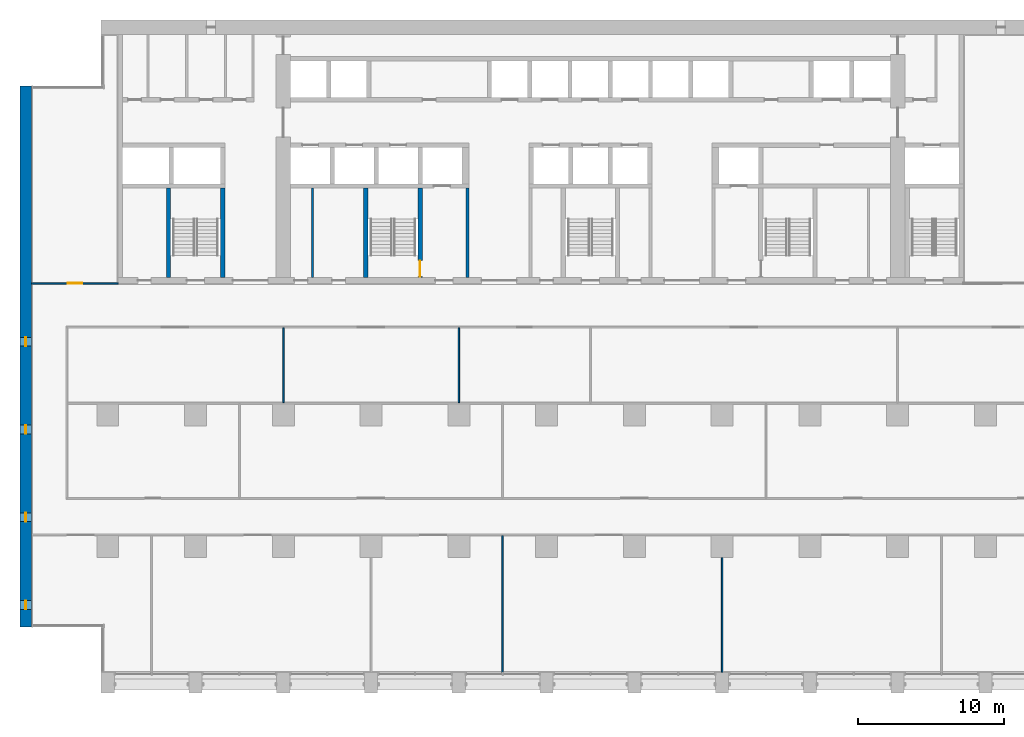
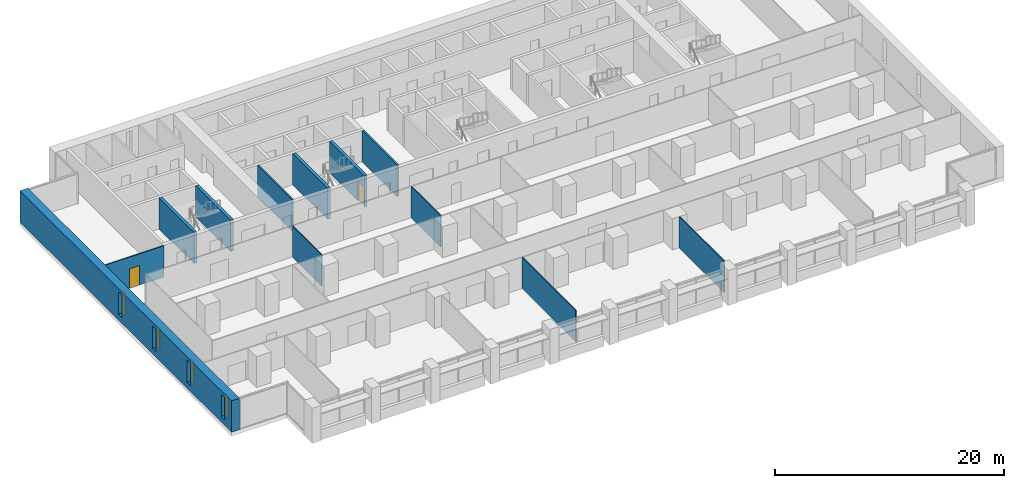
# One storey, part 8 of 18: 12 walls, 4 windows, 2 doors, 6 openings.
"""IFC4 building model written with IfcOpenShell, lengths in metres."""

from ifc_helpers import new_model, si_unit, direction, frame, frame_2d, origin, place, context, subcontext, project, spatial, rectangle, extrude, material, layer, layer_set, type_object, element, fill, save


model = new_model("IFC4")

# Units and contexts
model_context = context("Model", 3, precision=1e-05, world=origin(), true_north=direction((0.0, 1.0)))
body_context = subcontext(model_context, "Body", "Model", "MODEL_VIEW")
ifc_project = project(units=[si_unit("LENGTHUNIT", "METRE"), si_unit("AREAUNIT", "SQUARE_METRE"), si_unit("VOLUMEUNIT", "CUBIC_METRE"), si_unit("PLANEANGLEUNIT", "RADIAN"), si_unit("MASSUNIT", "GRAM", prefix="KILO")], contexts=[model_context])

# Site, building, storey
site_placement = place(None, origin())
site = spatial("IfcSite", under=ifc_project, at=site_placement, CompositionType="ELEMENT")
building_placement = place(site_placement, origin())
building = spatial("IfcBuilding", under=site, at=building_placement, Name="Calvaro Tower", CompositionType="ELEMENT")
storey_placement = place(building_placement, frame((0.0, 0.0, 78.75)))
storey = spatial("IfcBuildingStorey", under=building, at=storey_placement, Name="L19", CompositionType="ELEMENT", Elevation=78.75)

# Walls
ifc_material_1 = material(Name="Blockwork partition", Category="masonry")
ifc_layer_1 = layer(ifc_material_1, 0.14990234375)
ifc_layer_set_1 = layer_set([ifc_layer_1], Name="Blockwork partition")
wall_type_1 = type_object("IfcWallType", Name="Core partition 150 REI 120", PredefinedType="PARTITIONING", material=ifc_layer_set_1)
wall_1_placement = place(storey_placement, frame((20.0, 28.39990234375, 0.0), z_axis=(0.0, 0.0, 1.0), x_axis=(0.0, 1.0, 0.0)))
element("IfcWall", 1, at=wall_1_placement, inside=storey, type_object=wall_type_1, Name="Core partition", PredefinedType="PARTITIONING", context=body_context, shape_type="SweptSolid", body=[
    extrude(rectangle(XDim=6.10009765625, YDim=0.14990234375, at=frame_2d((3.050048828125, 0.0))), origin(), (0.0, 0.0, 1.0), 3.35009765625),
])
ifc_material_2 = material(Name="Blockwork partition", Category="masonry")
ifc_layer_2 = layer(ifc_material_2, 0.199951171875)
ifc_layer_set_2 = layer_set([ifc_layer_2], Name="Blockwork partition")
wall_type_2 = type_object("IfcWallType", Name="Core partition 200 REI 120", PredefinedType="PARTITIONING", material=ifc_layer_set_2)
wall_2_placement = place(storey_placement, frame((30.60009765625, 28.39990234375, 0.0), z_axis=(0.0, 0.0, 1.0), x_axis=(0.0, 1.0, 0.0)))
element("IfcWall", 2, at=wall_2_placement, inside=storey, type_object=wall_type_2, Name="Core partition", PredefinedType="PARTITIONING", context=body_context, shape_type="SweptSolid", body=[
    extrude(rectangle(XDim=6.10009765625, YDim=0.199951171875, at=frame_2d((3.050048828125, 0.0))), origin(), (0.0, 0.0, 1.0), 3.35009765625),
])
ifc_material_3 = material(Name="Concrete C80/95", Category="concrete")
ifc_layer_3 = layer(ifc_material_3, 0.300048828125)
ifc_layer_set_3 = layer_set([ifc_layer_3], Name="Concrete C80/95")
wall_type_3 = type_object("IfcWallType", Name="Core wall C80/95 300", PredefinedType="SHEAR", material=ifc_layer_set_3)
for number, where, z_axis, x_axis, name in (
    (3, (10.14990234375, 28.39990234375, 0.0), (0.0, 0.0, 1.0), (0.0, 1.0, 0.0), "Core wall, stair enclosure"),
    (4, (13.85009765625, 28.39990234375, 0.0), (0.0, 0.0, 1.0), (0.0, 1.0, 0.0), "Core wall, stair enclosure"),
    (5, (23.64990234375, 28.39990234375, 0.0), (0.0, 0.0, 1.0), (0.0, 1.0, 0.0), "Core wall, stair enclosure"),
):
    element("IfcWall", number, at=place(storey_placement, frame(where, z_axis=z_axis, x_axis=x_axis)), inside=storey, type_object=wall_type_3, Name=name, PredefinedType="SHEAR", context=body_context, shape_type="SweptSolid", body=[
        extrude(rectangle(XDim=6.10009765625, YDim=0.300048828125, at=frame_2d((3.050048828125, 0.0))), origin(), (0.0, 0.0, 1.0), 3.35009765625),
    ])

# Wall, opening, door
wall_3_placement = place(storey_placement, frame((27.35009765625, 28.39990234375, 0.0), z_axis=(0.0, 0.0, 1.0), x_axis=(0.0, 1.0, 0.0)))
wall_3 = element("IfcWall", 6, at=wall_3_placement, inside=storey, type_object=wall_type_3, Name="Core wall, stair enclosure", PredefinedType="SHEAR", context=body_context, shape_type="SweptSolid", body=[
    extrude(rectangle(XDim=6.10009765625, YDim=0.300048828125, at=frame_2d((3.050048828125, 0.0))), origin(), (0.0, 0.0, 1.0), 3.35009765625),
])
opening_1_placement = place(wall_3_placement, frame((0.050048828125, 0.0, 0.0)))
opening_1 = element("IfcOpeningElement", 7, at=opening_1_placement, cuts=wall_3, Name="Opening FD11D", PredefinedType="OPENING", context=body_context, shape_type="SweptSolid", body=[
    extrude(rectangle(XDim=1.10009765625, YDim=2.10009765625, at=frame_2d((0.550048828125, 1.050048828125))), frame((0.0, 0.159912109375, 0.0), z_axis=(0.0, -1.0, 0.0), x_axis=(1.0, 0.0, 0.0)), (0.0, 0.0, 1.0), 0.320068359375),
])
ifc_material_4 = material(Name="Steel door set", Category="steel")
door_type_1 = type_object("IfcDoorType", Name="Fire door 1100 FD30S", OperationType="SINGLE_SWING_LEFT", PredefinedType="DOOR", material=ifc_material_4)
door_1_placement = place(opening_1_placement, origin())
door_1 = element("IfcDoor", 8, at=door_1_placement, inside=storey, type_object=door_type_1, Name="Fire door", OperationType="SINGLE_SWING_LEFT", OverallHeight=2.10009765625, OverallWidth=1.10009765625, PredefinedType="DOOR", context=body_context, shape_type="SweptSolid", body=[
    extrude(rectangle(XDim=1.10009765625, YDim=2.10009765625, at=frame_2d((0.550048828125, 1.050048828125))), frame((0.0, 0.02490234375, 0.0), z_axis=(0.0, -1.0, 0.0), x_axis=(1.0, 0.0, 0.0)), (0.0, 0.0, 1.0), 0.050048828125),
])
fill(opening_1, door_1)

# Wall, openings, windows
ifc_material_5 = material(Name="Concrete C80/95", Category="concrete")
ifc_layer_4 = layer(ifc_material_5, 0.800048828125)
ifc_layer_set_4 = layer_set([ifc_layer_4], Name="Concrete C80/95")
wall_type_4 = type_object("IfcWallType", Name="End wall 800 C80/95", PredefinedType="SHEAR", material=ifc_layer_set_4)
wall_4_placement = place(storey_placement, frame((0.39990234375, 4.5, 0.0), z_axis=(0.0, 0.0, 1.0), x_axis=(0.0, 1.0, 0.0)))
wall_4 = element("IfcWall", 9, at=wall_4_placement, inside=storey, type_object=wall_type_4, Name="End shear wall", PredefinedType="SHEAR", context=body_context, shape_type="SweptSolid", body=[
    extrude(rectangle(XDim=37.0, YDim=0.800048828125, at=frame_2d((18.5, 0.0))), origin(), (0.0, 0.0, 1.0), 3.35009765625),
])
opening_2_placement = place(wall_4_placement, frame((1.199951171875, 0.0, 0.60009765625)))
opening_2 = element("IfcOpeningElement", 10, at=opening_2_placement, cuts=wall_4, Name="Opening WW01", PredefinedType="OPENING", context=body_context, shape_type="SweptSolid", body=[
    extrude(rectangle(XDim=0.60009765625, YDim=2.39990234375, at=frame_2d((0.300048828125, 1.199951171875))), frame((0.0, 0.409912109375, 0.0), z_axis=(0.0, -1.0, 0.0), x_axis=(1.0, 0.0, 0.0)), (0.0, 0.0, 1.0), 0.820068359375),
])
opening_3_placement = place(wall_4_placement, frame((7.199951171875, 0.0, 0.60009765625)))
opening_3 = element("IfcOpeningElement", 11, at=opening_3_placement, cuts=wall_4, Name="Opening WW02", PredefinedType="OPENING", context=body_context, shape_type="SweptSolid", body=[
    extrude(rectangle(XDim=0.60009765625, YDim=2.39990234375, at=frame_2d((0.300048828125, 1.199951171875))), frame((0.0, 0.409912109375, 0.0), z_axis=(0.0, -1.0, 0.0), x_axis=(1.0, 0.0, 0.0)), (0.0, 0.0, 1.0), 0.820068359375),
])
opening_4_placement = place(wall_4_placement, frame((13.199951171875, 0.0, 0.60009765625)))
opening_4 = element("IfcOpeningElement", 12, at=opening_4_placement, cuts=wall_4, Name="Opening WW03", PredefinedType="OPENING", context=body_context, shape_type="SweptSolid", body=[
    extrude(rectangle(XDim=0.60009765625, YDim=2.39990234375, at=frame_2d((0.300048828125, 1.199951171875))), frame((0.0, 0.409912109375, 0.0), z_axis=(0.0, -1.0, 0.0), x_axis=(1.0, 0.0, 0.0)), (0.0, 0.0, 1.0), 0.820068359375),
])
opening_5_placement = place(wall_4_placement, frame((19.199951171875, 0.0, 0.60009765625)))
opening_5 = element("IfcOpeningElement", 13, at=opening_5_placement, cuts=wall_4, Name="Opening WW04", PredefinedType="OPENING", context=body_context, shape_type="SweptSolid", body=[
    extrude(rectangle(XDim=0.60009765625, YDim=2.39990234375, at=frame_2d((0.300048828125, 1.199951171875))), frame((0.0, 0.409912109375, 0.0), z_axis=(0.0, -1.0, 0.0), x_axis=(1.0, 0.0, 0.0)), (0.0, 0.0, 1.0), 0.820068359375),
])
ifc_material_6 = material(Name="Glass", Category="glass")
window_type = type_object("IfcWindowType", Name="Slit window 600 x 2400", PartitioningType="SINGLE_PANEL", PredefinedType="WINDOW", material=ifc_material_6)
window_1_placement = place(opening_2_placement, origin())
window_1 = element("IfcWindow", 14, at=window_1_placement, inside=storey, type_object=window_type, Name="Window WW01", OverallHeight=2.39990234375, OverallWidth=0.60009765625, PartitioningType="SINGLE_PANEL", PredefinedType="WINDOW", context=body_context, shape_type="SweptSolid", body=[
    extrude(rectangle(XDim=0.60009765625, YDim=2.39990234375, at=frame_2d((0.300048828125, 1.199951171875))), frame((0.0, 0.030029296875, 0.0), z_axis=(0.0, -1.0, 0.0), x_axis=(1.0, 0.0, 0.0)), (0.0, 0.0, 1.0), 0.06005859375),
])
fill(opening_2, window_1)
window_2_placement = place(opening_3_placement, origin())
window_2 = element("IfcWindow", 15, at=window_2_placement, inside=storey, type_object=window_type, Name="Window WW02", OverallHeight=2.39990234375, OverallWidth=0.60009765625, PartitioningType="SINGLE_PANEL", PredefinedType="WINDOW", context=body_context, shape_type="SweptSolid", body=[
    extrude(rectangle(XDim=0.60009765625, YDim=2.39990234375, at=frame_2d((0.300048828125, 1.199951171875))), frame((0.0, 0.030029296875, 0.0), z_axis=(0.0, -1.0, 0.0), x_axis=(1.0, 0.0, 0.0)), (0.0, 0.0, 1.0), 0.06005859375),
])
fill(opening_3, window_2)
window_3_placement = place(opening_4_placement, origin())
window_3 = element("IfcWindow", 16, at=window_3_placement, inside=storey, type_object=window_type, Name="Window WW03", OverallHeight=2.39990234375, OverallWidth=0.60009765625, PartitioningType="SINGLE_PANEL", PredefinedType="WINDOW", context=body_context, shape_type="SweptSolid", body=[
    extrude(rectangle(XDim=0.60009765625, YDim=2.39990234375, at=frame_2d((0.300048828125, 1.199951171875))), frame((0.0, 0.030029296875, 0.0), z_axis=(0.0, -1.0, 0.0), x_axis=(1.0, 0.0, 0.0)), (0.0, 0.0, 1.0), 0.06005859375),
])
fill(opening_4, window_3)
window_4_placement = place(opening_5_placement, origin())
window_4 = element("IfcWindow", 17, at=window_4_placement, inside=storey, type_object=window_type, Name="Window WW04", OverallHeight=2.39990234375, OverallWidth=0.60009765625, PartitioningType="SINGLE_PANEL", PredefinedType="WINDOW", context=body_context, shape_type="SweptSolid", body=[
    extrude(rectangle(XDim=0.60009765625, YDim=2.39990234375, at=frame_2d((0.300048828125, 1.199951171875))), frame((0.0, 0.030029296875, 0.0), z_axis=(0.0, -1.0, 0.0), x_axis=(1.0, 0.0, 0.0)), (0.0, 0.0, 1.0), 0.06005859375),
])
fill(opening_5, window_4)

# Walls
ifc_material_7 = material(Name="Plasterboard on steel studs", Category="steel")
ifc_layer_5 = layer(ifc_material_7, 0.10009765625)
ifc_layer_set_5 = layer_set([ifc_layer_5], Name="Plasterboard on steel studs")
wall_type_5 = type_object("IfcWallType", Name="Partition 100", PredefinedType="PARTITIONING", material=ifc_layer_set_5)
for number, where, z_axis, x_axis, name in (
    (18, (18.0, 19.85009765625, 0.0), (0.0, 0.0, 1.0), (0.0, 1.0, 0.0), "Partition T14.W010"),
    (19, (30.0, 19.85009765625, 0.0), (0.0, 0.0, 1.0), (0.0, 1.0, 0.0), "Partition T14.W012"),
):
    element("IfcWall", number, at=place(storey_placement, frame(where, z_axis=z_axis, x_axis=x_axis)), inside=storey, type_object=wall_type_5, Name=name, PredefinedType="PARTITIONING", context=body_context, shape_type="SweptSolid", body=[
        extrude(rectangle(XDim=5.099853515625, YDim=0.10009765625, at=frame_2d((2.5498046875, 0.0))), origin(), (0.0, 0.0, 1.0), 3.35009765625),
    ])
wall_5_placement = place(storey_placement, frame((33.0, 1.39990234375, 0.0), z_axis=(0.0, 0.0, 1.0), x_axis=(0.0, 1.0, 0.0)))
element("IfcWall", 20, at=wall_5_placement, inside=storey, type_object=wall_type_5, Name="Partition T14.W013", PredefinedType="PARTITIONING", context=body_context, shape_type="SweptSolid", body=[
    extrude(rectangle(XDim=9.35009765625, YDim=0.10009765625, at=frame_2d((4.675048828125, 0.0))), origin(), (0.0, 0.0, 1.0), 3.35009765625),
])
wall_6_placement = place(storey_placement, frame((48.0, 1.39990234375, 0.0), z_axis=(0.0, 0.0, 1.0), x_axis=(0.0, 1.0, 0.0)))
element("IfcWall", 21, at=wall_6_placement, inside=storey, type_object=wall_type_5, Name="Partition T14.W016", PredefinedType="PARTITIONING", context=body_context, shape_type="SweptSolid", body=[
    extrude(rectangle(XDim=7.85009765625, YDim=0.10009765625, at=frame_2d((3.925048828125, 0.0))), origin(), (0.0, 0.0, 1.0), 3.35009765625),
])

# Wall, opening, door
ifc_material_8 = material(Name="Plasterboard on steel studs", Category="steel")
ifc_layer_6 = layer(ifc_material_8, 0.10009765625)
ifc_layer_set_6 = layer_set([ifc_layer_6], Name="Plasterboard on steel studs")
wall_type_6 = type_object("IfcWallType", Name="Partition 100 REI 120", PredefinedType="PARTITIONING", material=ifc_layer_set_6)
wall_7_placement = place(storey_placement, frame((0.800048828125, 28.0, 0.0), z_axis=(0.0, 0.0, 1.0), x_axis=(1.0, 0.0, 0.0)))
wall_7 = element("IfcWall", 22, at=wall_7_placement, inside=storey, type_object=wall_type_6, Name="Partition T14.W005", PredefinedType="PARTITIONING", context=body_context, shape_type="SweptSolid", body=[
    extrude(rectangle(XDim=5.89990234375, YDim=0.10009765625, at=frame_2d((2.949951171875, 0.0))), origin(), (0.0, 0.0, 1.0), 3.35009765625),
])
opening_6_placement = place(wall_7_placement, frame((2.449951171875, 0.0, 0.0)))
opening_6 = element("IfcOpeningElement", 23, at=opening_6_placement, cuts=wall_7, Name="Opening T14.018", PredefinedType="OPENING", context=body_context, shape_type="SweptSolid", body=[
    extrude(rectangle(XDim=1.0, YDim=2.10009765625, at=frame_2d((0.5, 1.050048828125))), frame((0.0, 0.06005859375, 0.0), z_axis=(0.0, -1.0, 0.0), x_axis=(1.0, 0.0, 0.0)), (0.0, 0.0, 1.0), 0.1201171875),
])
ifc_material_9 = material(Name="Timber", Category="wood")
door_type_2 = type_object("IfcDoorType", Name="Internal single door 1000 x 2100 FD60", OperationType="SINGLE_SWING_LEFT", PredefinedType="DOOR", material=ifc_material_9)
door_2_placement = place(opening_6_placement, origin())
door_2 = element("IfcDoor", 24, at=door_2_placement, inside=storey, type_object=door_type_2, Name="Door T14.018", OperationType="SINGLE_SWING_LEFT", OverallHeight=2.10009765625, OverallWidth=1.0, PredefinedType="DOOR", context=body_context, shape_type="SweptSolid", body=[
    extrude(rectangle(XDim=1.0, YDim=2.10009765625, at=frame_2d((0.5, 1.050048828125))), frame((0.0, 0.02490234375, 0.0), z_axis=(0.0, -1.0, 0.0), x_axis=(1.0, 0.0, 0.0)), (0.0, 0.0, 1.0), 0.050048828125),
])
fill(opening_6, door_2)

save(model, "model.ifc")
